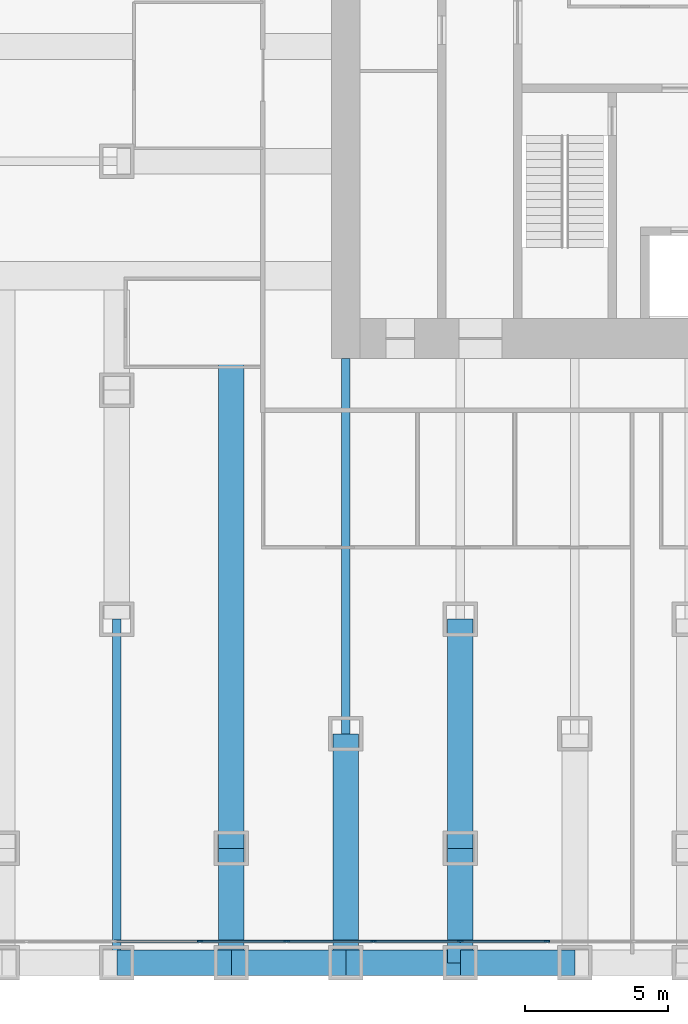
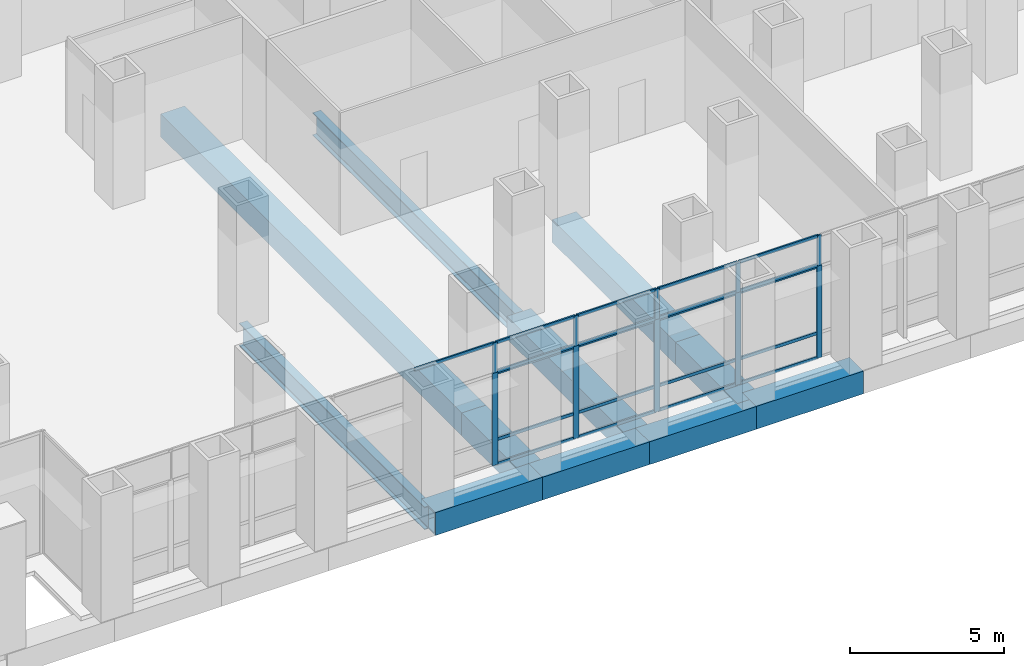
# One storey, part 3 of 18: 31 members, 11 beams, 2 elements without a shape of their own.
"""IFC4 building model written with IfcOpenShell, lengths in metres."""

from ifc_helpers import new_model, si_unit, direction, frame, origin, origin_2d, place, context, subcontext, project, spatial, rectangle, hollow_rectangle, i_section, extrude, material, material_profile, profile_set, type_object, element, aggregate, save


model = new_model("IFC4")

# Units and contexts
model_context = context("Model", 3, precision=1e-05, world=origin(), true_north=direction((0.0, 1.0)))
body_context = subcontext(model_context, "Body", "Model", "MODEL_VIEW")
ifc_project = project(units=[si_unit("LENGTHUNIT", "METRE"), si_unit("AREAUNIT", "SQUARE_METRE"), si_unit("VOLUMEUNIT", "CUBIC_METRE"), si_unit("PLANEANGLEUNIT", "RADIAN"), si_unit("MASSUNIT", "GRAM", prefix="KILO")], contexts=[model_context])

# Site, building, storey
site_placement = place(None, origin())
site = spatial("IfcSite", under=ifc_project, at=site_placement, CompositionType="ELEMENT")
building_placement = place(site_placement, origin())
building = spatial("IfcBuilding", under=site, at=building_placement, Name="Rimbunsela Tower", CompositionType="ELEMENT")
storey_placement = place(building_placement, frame((0.0, 0.0, 6.0)))
storey = spatial("IfcBuildingStorey", under=building, at=storey_placement, Name="L01", CompositionType="ELEMENT", Elevation=6.0)

# Beams
ifc_material_1 = material(Name="Steel BJ 55 (fy 410 MPa)", Category="steel")
ifc_material_profile_1 = material_profile(ifc_material_1, hollow_rectangle(XDim=0.89990234375, YDim=0.89990234375, WallThickness=0.06005859375, at=origin_2d()), Name="BOX 900x900x60")
ifc_profile_set_1 = profile_set([ifc_material_profile_1], Name="Steel BJ 55 (fy 410 MPa)")
beam_type_1 = type_object("IfcBeamType", Name="Beam BOX 900x900x60", PredefinedType="BEAM", material=ifc_profile_set_1)
for number, where, z_axis, x_axis, name in (
    (1, (10.0, -4.0, -0.60009765625), (1.0, 0.0, 0.0), (0.0, 1.0, 0.0), "Beam B1 L01"),
    (2, (14.0, -4.0, -0.60009765625), (0.0, 1.0, 0.0), (-1.0, 0.0, 0.0), "Beam B1 L01"),
    (3, (14.0, -4.0, -0.60009765625), (1.0, 0.0, 0.0), (0.0, 1.0, 0.0), "Beam B1 L01"),
):
    element("IfcBeam", number, at=place(storey_placement, frame(where, z_axis=z_axis, x_axis=x_axis)), inside=storey, type_object=beam_type_1, Name=name, PredefinedType="BEAM", context=body_context, shape_type="SweptSolid", body=[
        extrude(hollow_rectangle(XDim=0.89990234375, YDim=0.89990234375, WallThickness=0.06005859375, at=origin_2d()), origin(), (0.0, 0.0, 1.0), 4.0),
    ])
beam_1_placement = place(storey_placement, frame((14.0, 0.0, -0.60009765625), z_axis=(0.0, 1.0, 0.0), x_axis=(-1.0, 0.0, 0.0)))
element("IfcBeam", 4, at=beam_1_placement, inside=storey, type_object=beam_type_1, Name="Beam B1 L01", PredefinedType="BEAM", context=body_context, shape_type="SweptSolid", body=[
    extrude(hollow_rectangle(XDim=0.89990234375, YDim=0.89990234375, WallThickness=0.06005859375, at=origin_2d()), origin(), (0.0, 0.0, 1.0), 19.5),
])
beam_2_placement = place(storey_placement, frame((18.0, -4.0, -0.60009765625), z_axis=(0.0, 1.0, 0.0), x_axis=(-1.0, 0.0, 0.0)))
element("IfcBeam", 5, at=beam_2_placement, inside=storey, type_object=beam_type_1, Name="Beam B1 L01", PredefinedType="BEAM", context=body_context, shape_type="SweptSolid", body=[
    extrude(hollow_rectangle(XDim=0.89990234375, YDim=0.89990234375, WallThickness=0.06005859375, at=origin_2d()), origin(), (0.0, 0.0, 1.0), 8.0),
])
for number, where, z_axis, x_axis, name in (
    (6, (18.0, -4.0, -0.60009765625), (1.0, 0.0, 0.0), (0.0, 1.0, 0.0), "Beam B1 L01"),
    (7, (22.0, -4.0, -0.60009765625), (0.0, 1.0, 0.0), (-1.0, 0.0, 0.0), "Beam B1 L01"),
    (8, (22.0, -4.0, -0.60009765625), (1.0, 0.0, 0.0), (0.0, 1.0, 0.0), "Beam B1 L01"),
):
    element("IfcBeam", number, at=place(storey_placement, frame(where, z_axis=z_axis, x_axis=x_axis)), inside=storey, type_object=beam_type_1, Name=name, PredefinedType="BEAM", context=body_context, shape_type="SweptSolid", body=[
        extrude(hollow_rectangle(XDim=0.89990234375, YDim=0.89990234375, WallThickness=0.06005859375, at=origin_2d()), origin(), (0.0, 0.0, 1.0), 4.0),
    ])
beam_3_placement = place(storey_placement, frame((22.0, 0.0, -0.60009765625), z_axis=(0.0, 1.0, 0.0), x_axis=(-1.0, 0.0, 0.0)))
element("IfcBeam", 9, at=beam_3_placement, inside=storey, type_object=beam_type_1, Name="Beam B1 L01", PredefinedType="BEAM", context=body_context, shape_type="SweptSolid", body=[
    extrude(hollow_rectangle(XDim=0.89990234375, YDim=0.89990234375, WallThickness=0.06005859375, at=origin_2d()), origin(), (0.0, 0.0, 1.0), 8.0),
])
ifc_material_2 = material(Name="Steel BJ 55 (fy 410 MPa)", Category="steel")
ifc_material_profile_2 = material_profile(ifc_material_2, i_section(OverallWidth=0.300048828125, OverallDepth=0.89990234375, WebThickness=0.01611328125, FlangeThickness=0.028076171875, FilletRadius=0.028076171875, at=origin_2d()), Name="H 900x300x16x28")
ifc_profile_set_2 = profile_set([ifc_material_profile_2], Name="Steel BJ 55 (fy 410 MPa)")
beam_type_2 = type_object("IfcBeamType", Name="Beam H 900x300x16x28", PredefinedType="BEAM", material=ifc_profile_set_2)
beam_4_placement = place(storey_placement, frame((10.0, -4.0, -0.60009765625), z_axis=(0.0, 1.0, 0.0), x_axis=(-1.0, 0.0, 0.0)))
element("IfcBeam", 10, at=beam_4_placement, inside=storey, type_object=beam_type_2, Name="Beam B2 L01", PredefinedType="BEAM", context=body_context, shape_type="SweptSolid", body=[
    extrude(i_section(OverallWidth=0.300048828125, OverallDepth=0.89990234375, WebThickness=0.01611328125, FlangeThickness=0.028076171875, FilletRadius=0.028076171875, at=origin_2d()), origin(), (0.0, 0.0, 1.0), 12.0),
])
beam_5_placement = place(storey_placement, frame((18.0, 4.0, -0.60009765625), z_axis=(0.0, 1.0, 0.0), x_axis=(-1.0, 0.0, 0.0)))
element("IfcBeam", 11, at=beam_5_placement, inside=storey, type_object=beam_type_2, Name="Beam B2 L01", PredefinedType="BEAM", context=body_context, shape_type="SweptSolid", body=[
    extrude(i_section(OverallWidth=0.300048828125, OverallDepth=0.89990234375, WebThickness=0.01611328125, FlangeThickness=0.028076171875, FilletRadius=0.028076171875, at=origin_2d()), origin(), (0.0, 0.0, 1.0), 13.10009765625),
])

# Curtain wall, members
ifc_material_3 = material(Name="Aluminium curtain wall", Category="aluminium")
curtain_wall_type_1 = type_object("IfcCurtainWallType", Name="Spandrel wall", PredefinedType="USERDEFINED", material=ifc_material_3)
curtain_wall_1_placement = place(storey_placement, origin())
curtain_wall_1 = element("IfcCurtainWall", 12, at=curtain_wall_1_placement, inside=storey, type_object=curtain_wall_type_1, Name="Spandrel wall L01", ObjectType="SPANDREL WALL", PredefinedType="USERDEFINED")
ifc_material_4 = material(Name="Aluminium mullion", Category="aluminium")
ifc_material_profile_3 = material_profile(ifc_material_4, rectangle(XDim=0.06005859375, YDim=0.159912109375, at=origin_2d()), Name="Mullion 60x160")
ifc_profile_set_3 = profile_set([ifc_material_profile_3], Name="Aluminium mullion")
member_type_1 = type_object("IfcMemberType", Name="Curtain wall mullion 60x160", PredefinedType="MULLION", material=ifc_profile_set_3)
member_1_placement = place(storey_placement, frame((12.90625, -3.25, 3.64990234375), z_axis=(0.0, 0.0, 1.0), x_axis=(0.0, 1.0, 0.0)))
member_1 = element("IfcMember", 13, at=member_1_placement, type_object=member_type_1, Name="CW7 mullion 6", PredefinedType="MULLION", context=body_context, shape_type="SweptSolid", body=[
    extrude(rectangle(XDim=0.06005859375, YDim=0.159912109375, at=origin_2d()), origin(), (0.0, 0.0, 1.0), 1.2001953125),
])
member_2_placement = place(storey_placement, frame((15.9375, -3.25, 3.64990234375), z_axis=(0.0, 0.0, 1.0), x_axis=(0.0, 1.0, 0.0)))
member_2 = element("IfcMember", 14, at=member_2_placement, type_object=member_type_1, Name="CW7 mullion 7", PredefinedType="MULLION", context=body_context, shape_type="SweptSolid", body=[
    extrude(rectangle(XDim=0.06005859375, YDim=0.159912109375, at=origin_2d()), origin(), (0.0, 0.0, 1.0), 1.2001953125),
])
member_3_placement = place(storey_placement, frame((18.96875, -3.25, 3.64990234375), z_axis=(0.0, 0.0, 1.0), x_axis=(0.0, 1.0, 0.0)))
member_3 = element("IfcMember", 15, at=member_3_placement, type_object=member_type_1, Name="CW7 mullion 8", PredefinedType="MULLION", context=body_context, shape_type="SweptSolid", body=[
    extrude(rectangle(XDim=0.06005859375, YDim=0.159912109375, at=origin_2d()), origin(), (0.0, 0.0, 1.0), 1.2001953125),
])
member_4_placement = place(storey_placement, frame((22.0, -3.25, 3.64990234375), z_axis=(0.0, 0.0, 1.0), x_axis=(0.0, 1.0, 0.0)))
member_4 = element("IfcMember", 16, at=member_4_placement, type_object=member_type_1, Name="CW7 mullion 9", PredefinedType="MULLION", context=body_context, shape_type="SweptSolid", body=[
    extrude(rectangle(XDim=0.06005859375, YDim=0.159912109375, at=origin_2d()), origin(), (0.0, 0.0, 1.0), 1.2001953125),
])
member_5_placement = place(storey_placement, frame((25.03125, -3.25, 3.64990234375), z_axis=(0.0, 0.0, 1.0), x_axis=(0.0, 1.0, 0.0)))
member_5 = element("IfcMember", 17, at=member_5_placement, type_object=member_type_1, Name="CW7 mullion 10", PredefinedType="MULLION", context=body_context, shape_type="SweptSolid", body=[
    extrude(rectangle(XDim=0.06005859375, YDim=0.159912109375, at=origin_2d()), origin(), (0.0, 0.0, 1.0), 1.2001953125),
])

ifc_material_5 = material(Name="Aluminium curtain wall", Category="aluminium")
curtain_wall_type_2 = type_object("IfcCurtainWallType", Name="Podium glazing", PredefinedType="USERDEFINED", material=ifc_material_5)
curtain_wall_2_placement = place(storey_placement, origin())
curtain_wall_2 = element("IfcCurtainWall", 18, at=curtain_wall_2_placement, inside=storey, type_object=curtain_wall_type_2, Name="Podium glazing L01", ObjectType="PODIUM GLAZING", PredefinedType="USERDEFINED")
ifc_material_6 = material(Name="Aluminium mullion", Category="aluminium")
ifc_material_profile_4 = material_profile(ifc_material_6, rectangle(XDim=0.06005859375, YDim=0.199951171875, at=origin_2d()), Name="Mullion 60x200")
ifc_profile_set_4 = profile_set([ifc_material_profile_4], Name="Aluminium mullion")
member_type_2 = type_object("IfcMemberType", Name="Curtain wall mullion 60x200", PredefinedType="MULLION", material=ifc_profile_set_4)
member_6_placement = place(storey_placement, frame((12.90625, -3.25, 0.0), z_axis=(0.0, 0.0, 1.0), x_axis=(0.0, 1.0, 0.0)))
member_6 = element("IfcMember", 19, at=member_6_placement, type_object=member_type_2, Name="CW1 mullion 6", PredefinedType="MULLION", context=body_context, shape_type="SweptSolid", body=[
    extrude(rectangle(XDim=0.06005859375, YDim=0.199951171875, at=origin_2d()), origin(), (0.0, 0.0, 1.0), 3.64990234375),
])
member_7_placement = place(storey_placement, frame((15.9375, -3.25, 0.0), z_axis=(0.0, 0.0, 1.0), x_axis=(0.0, 1.0, 0.0)))
member_7 = element("IfcMember", 20, at=member_7_placement, type_object=member_type_2, Name="CW1 mullion 7", PredefinedType="MULLION", context=body_context, shape_type="SweptSolid", body=[
    extrude(rectangle(XDim=0.06005859375, YDim=0.199951171875, at=origin_2d()), origin(), (0.0, 0.0, 1.0), 3.64990234375),
])
member_8_placement = place(storey_placement, frame((18.96875, -3.25, 0.0), z_axis=(0.0, 0.0, 1.0), x_axis=(0.0, 1.0, 0.0)))
member_8 = element("IfcMember", 21, at=member_8_placement, type_object=member_type_2, Name="CW1 mullion 8", PredefinedType="MULLION", context=body_context, shape_type="SweptSolid", body=[
    extrude(rectangle(XDim=0.06005859375, YDim=0.199951171875, at=origin_2d()), origin(), (0.0, 0.0, 1.0), 3.64990234375),
])
member_9_placement = place(storey_placement, frame((22.0, -3.25, 0.0), z_axis=(0.0, 0.0, 1.0), x_axis=(0.0, 1.0, 0.0)))
member_9 = element("IfcMember", 22, at=member_9_placement, type_object=member_type_2, Name="CW1 mullion 9", PredefinedType="MULLION", context=body_context, shape_type="SweptSolid", body=[
    extrude(rectangle(XDim=0.06005859375, YDim=0.199951171875, at=origin_2d()), origin(), (0.0, 0.0, 1.0), 3.64990234375),
])
member_10_placement = place(storey_placement, frame((25.03125, -3.25, 0.0), z_axis=(0.0, 0.0, 1.0), x_axis=(0.0, 1.0, 0.0)))
member_10 = element("IfcMember", 23, at=member_10_placement, type_object=member_type_2, Name="CW1 mullion 10", PredefinedType="MULLION", context=body_context, shape_type="SweptSolid", body=[
    extrude(rectangle(XDim=0.06005859375, YDim=0.199951171875, at=origin_2d()), origin(), (0.0, 0.0, 1.0), 3.64990234375),
])
ifc_material_7 = material(Name="Aluminium transom", Category="aluminium")
ifc_material_profile_5 = material_profile(ifc_material_7, rectangle(XDim=0.06005859375, YDim=0.1201171875, at=origin_2d()), Name="Transom 60x120")
ifc_profile_set_5 = profile_set([ifc_material_profile_5], Name="Aluminium transom")
member_type_3 = type_object("IfcMemberType", Name="Curtain wall transom 60x120", PredefinedType="USERDEFINED", material=ifc_profile_set_5)
member_11_placement = place(storey_placement, frame((12.936279296875, -3.25, 0.030029296875), z_axis=(1.0, 0.0, 0.0), x_axis=(0.0, 1.0, 0.0)))
member_11 = element("IfcMember", 24, at=member_11_placement, type_object=member_type_3, Name="CW1 transom 6.1", ObjectType="TRANSOM", PredefinedType="USERDEFINED", context=body_context, shape_type="SweptSolid", body=[
    extrude(rectangle(XDim=0.06005859375, YDim=0.1201171875, at=origin_2d()), origin(), (0.0, 0.0, 1.0), 2.97119140625),
])
member_12_placement = place(storey_placement, frame((12.936279296875, -3.25, 1.0), z_axis=(1.0, 0.0, 0.0), x_axis=(0.0, 1.0, 0.0)))
member_12 = element("IfcMember", 25, at=member_12_placement, type_object=member_type_3, Name="CW1 transom 6.2", ObjectType="TRANSOM", PredefinedType="USERDEFINED", context=body_context, shape_type="SweptSolid", body=[
    extrude(rectangle(XDim=0.06005859375, YDim=0.1201171875, at=origin_2d()), origin(), (0.0, 0.0, 1.0), 2.97119140625),
])
member_13_placement = place(storey_placement, frame((12.936279296875, -3.25, 3.6201171875), z_axis=(1.0, 0.0, 0.0), x_axis=(0.0, 1.0, 0.0)))
member_13 = element("IfcMember", 26, at=member_13_placement, type_object=member_type_3, Name="CW1 transom 6.3", ObjectType="TRANSOM", PredefinedType="USERDEFINED", context=body_context, shape_type="SweptSolid", body=[
    extrude(rectangle(XDim=0.06005859375, YDim=0.1201171875, at=origin_2d()), origin(), (0.0, 0.0, 1.0), 2.97119140625),
])
member_14_placement = place(storey_placement, frame((15.967529296875, -3.25, 0.030029296875), z_axis=(1.0, 0.0, 0.0), x_axis=(0.0, 1.0, 0.0)))
member_14 = element("IfcMember", 27, at=member_14_placement, type_object=member_type_3, Name="CW1 transom 7.1", ObjectType="TRANSOM", PredefinedType="USERDEFINED", context=body_context, shape_type="SweptSolid", body=[
    extrude(rectangle(XDim=0.06005859375, YDim=0.1201171875, at=origin_2d()), origin(), (0.0, 0.0, 1.0), 2.97119140625),
])
member_15_placement = place(storey_placement, frame((15.967529296875, -3.25, 1.0), z_axis=(1.0, 0.0, 0.0), x_axis=(0.0, 1.0, 0.0)))
member_15 = element("IfcMember", 28, at=member_15_placement, type_object=member_type_3, Name="CW1 transom 7.2", ObjectType="TRANSOM", PredefinedType="USERDEFINED", context=body_context, shape_type="SweptSolid", body=[
    extrude(rectangle(XDim=0.06005859375, YDim=0.1201171875, at=origin_2d()), origin(), (0.0, 0.0, 1.0), 2.97119140625),
])
member_16_placement = place(storey_placement, frame((15.967529296875, -3.25, 3.6201171875), z_axis=(1.0, 0.0, 0.0), x_axis=(0.0, 1.0, 0.0)))
member_16 = element("IfcMember", 29, at=member_16_placement, type_object=member_type_3, Name="CW1 transom 7.3", ObjectType="TRANSOM", PredefinedType="USERDEFINED", context=body_context, shape_type="SweptSolid", body=[
    extrude(rectangle(XDim=0.06005859375, YDim=0.1201171875, at=origin_2d()), origin(), (0.0, 0.0, 1.0), 2.97119140625),
])
member_17_placement = place(storey_placement, frame((18.998779296875, -3.25, 0.030029296875), z_axis=(1.0, 0.0, 0.0), x_axis=(0.0, 1.0, 0.0)))
member_17 = element("IfcMember", 30, at=member_17_placement, type_object=member_type_3, Name="CW1 transom 8.1", ObjectType="TRANSOM", PredefinedType="USERDEFINED", context=body_context, shape_type="SweptSolid", body=[
    extrude(rectangle(XDim=0.06005859375, YDim=0.1201171875, at=origin_2d()), origin(), (0.0, 0.0, 1.0), 2.97119140625),
])
member_18_placement = place(storey_placement, frame((18.998779296875, -3.25, 1.0), z_axis=(1.0, 0.0, 0.0), x_axis=(0.0, 1.0, 0.0)))
member_18 = element("IfcMember", 31, at=member_18_placement, type_object=member_type_3, Name="CW1 transom 8.2", ObjectType="TRANSOM", PredefinedType="USERDEFINED", context=body_context, shape_type="SweptSolid", body=[
    extrude(rectangle(XDim=0.06005859375, YDim=0.1201171875, at=origin_2d()), origin(), (0.0, 0.0, 1.0), 2.97119140625),
])
member_19_placement = place(storey_placement, frame((18.998779296875, -3.25, 3.6201171875), z_axis=(1.0, 0.0, 0.0), x_axis=(0.0, 1.0, 0.0)))
member_19 = element("IfcMember", 32, at=member_19_placement, type_object=member_type_3, Name="CW1 transom 8.3", ObjectType="TRANSOM", PredefinedType="USERDEFINED", context=body_context, shape_type="SweptSolid", body=[
    extrude(rectangle(XDim=0.06005859375, YDim=0.1201171875, at=origin_2d()), origin(), (0.0, 0.0, 1.0), 2.97119140625),
])
member_20_placement = place(storey_placement, frame((22.030029296875, -3.25, 0.030029296875), z_axis=(1.0, 0.0, 0.0), x_axis=(0.0, 1.0, 0.0)))
member_20 = element("IfcMember", 33, at=member_20_placement, type_object=member_type_3, Name="CW1 transom 9.1", ObjectType="TRANSOM", PredefinedType="USERDEFINED", context=body_context, shape_type="SweptSolid", body=[
    extrude(rectangle(XDim=0.06005859375, YDim=0.1201171875, at=origin_2d()), origin(), (0.0, 0.0, 1.0), 2.97119140625),
])
member_21_placement = place(storey_placement, frame((22.030029296875, -3.25, 1.0), z_axis=(1.0, 0.0, 0.0), x_axis=(0.0, 1.0, 0.0)))
member_21 = element("IfcMember", 34, at=member_21_placement, type_object=member_type_3, Name="CW1 transom 9.2", ObjectType="TRANSOM", PredefinedType="USERDEFINED", context=body_context, shape_type="SweptSolid", body=[
    extrude(rectangle(XDim=0.06005859375, YDim=0.1201171875, at=origin_2d()), origin(), (0.0, 0.0, 1.0), 2.97119140625),
])
member_22_placement = place(storey_placement, frame((22.030029296875, -3.25, 3.6201171875), z_axis=(1.0, 0.0, 0.0), x_axis=(0.0, 1.0, 0.0)))
member_22 = element("IfcMember", 35, at=member_22_placement, type_object=member_type_3, Name="CW1 transom 9.3", ObjectType="TRANSOM", PredefinedType="USERDEFINED", context=body_context, shape_type="SweptSolid", body=[
    extrude(rectangle(XDim=0.06005859375, YDim=0.1201171875, at=origin_2d()), origin(), (0.0, 0.0, 1.0), 2.97119140625),
])
aggregate(curtain_wall_2, [member_6, member_7, member_8, member_9, member_10, member_11, member_12, member_13, member_14, member_15, member_16, member_17, member_18, member_19, member_20, member_21, member_22])

# Member
member_23_placement = place(storey_placement, frame((9.905029296875, -3.25, 4.820068359375), z_axis=(1.0, 0.0, 0.0), x_axis=(0.0, 1.0, 0.0)))
member_23 = element("IfcMember", 36, at=member_23_placement, type_object=member_type_3, Name="CW7 transom 5.2", ObjectType="TRANSOM", PredefinedType="USERDEFINED", context=body_context, shape_type="SweptSolid", body=[
    extrude(rectangle(XDim=0.06005859375, YDim=0.1201171875, at=origin_2d()), origin(), (0.0, 0.0, 1.0), 2.97119140625),
])

member_24_placement = place(storey_placement, frame((12.936279296875, -3.25, 3.679931640625), z_axis=(1.0, 0.0, 0.0), x_axis=(0.0, 1.0, 0.0)))
member_24 = element("IfcMember", 37, at=member_24_placement, type_object=member_type_3, Name="CW7 transom 6.1", ObjectType="TRANSOM", PredefinedType="USERDEFINED", context=body_context, shape_type="SweptSolid", body=[
    extrude(rectangle(XDim=0.06005859375, YDim=0.1201171875, at=origin_2d()), origin(), (0.0, 0.0, 1.0), 2.97119140625),
])

member_25_placement = place(storey_placement, frame((12.936279296875, -3.25, 4.820068359375), z_axis=(1.0, 0.0, 0.0), x_axis=(0.0, 1.0, 0.0)))
member_25 = element("IfcMember", 38, at=member_25_placement, type_object=member_type_3, Name="CW7 transom 6.2", ObjectType="TRANSOM", PredefinedType="USERDEFINED", context=body_context, shape_type="SweptSolid", body=[
    extrude(rectangle(XDim=0.06005859375, YDim=0.1201171875, at=origin_2d()), origin(), (0.0, 0.0, 1.0), 2.97119140625),
])

member_26_placement = place(storey_placement, frame((15.967529296875, -3.25, 3.679931640625), z_axis=(1.0, 0.0, 0.0), x_axis=(0.0, 1.0, 0.0)))
member_26 = element("IfcMember", 39, at=member_26_placement, type_object=member_type_3, Name="CW7 transom 7.1", ObjectType="TRANSOM", PredefinedType="USERDEFINED", context=body_context, shape_type="SweptSolid", body=[
    extrude(rectangle(XDim=0.06005859375, YDim=0.1201171875, at=origin_2d()), origin(), (0.0, 0.0, 1.0), 2.97119140625),
])

member_27_placement = place(storey_placement, frame((15.967529296875, -3.25, 4.820068359375), z_axis=(1.0, 0.0, 0.0), x_axis=(0.0, 1.0, 0.0)))
member_27 = element("IfcMember", 40, at=member_27_placement, type_object=member_type_3, Name="CW7 transom 7.2", ObjectType="TRANSOM", PredefinedType="USERDEFINED", context=body_context, shape_type="SweptSolid", body=[
    extrude(rectangle(XDim=0.06005859375, YDim=0.1201171875, at=origin_2d()), origin(), (0.0, 0.0, 1.0), 2.97119140625),
])

member_28_placement = place(storey_placement, frame((18.998779296875, -3.25, 3.679931640625), z_axis=(1.0, 0.0, 0.0), x_axis=(0.0, 1.0, 0.0)))
member_28 = element("IfcMember", 41, at=member_28_placement, type_object=member_type_3, Name="CW7 transom 8.1", ObjectType="TRANSOM", PredefinedType="USERDEFINED", context=body_context, shape_type="SweptSolid", body=[
    extrude(rectangle(XDim=0.06005859375, YDim=0.1201171875, at=origin_2d()), origin(), (0.0, 0.0, 1.0), 2.97119140625),
])

member_29_placement = place(storey_placement, frame((18.998779296875, -3.25, 4.820068359375), z_axis=(1.0, 0.0, 0.0), x_axis=(0.0, 1.0, 0.0)))
member_29 = element("IfcMember", 42, at=member_29_placement, type_object=member_type_3, Name="CW7 transom 8.2", ObjectType="TRANSOM", PredefinedType="USERDEFINED", context=body_context, shape_type="SweptSolid", body=[
    extrude(rectangle(XDim=0.06005859375, YDim=0.1201171875, at=origin_2d()), origin(), (0.0, 0.0, 1.0), 2.97119140625),
])

member_30_placement = place(storey_placement, frame((22.030029296875, -3.25, 3.679931640625), z_axis=(1.0, 0.0, 0.0), x_axis=(0.0, 1.0, 0.0)))
member_30 = element("IfcMember", 43, at=member_30_placement, type_object=member_type_3, Name="CW7 transom 9.1", ObjectType="TRANSOM", PredefinedType="USERDEFINED", context=body_context, shape_type="SweptSolid", body=[
    extrude(rectangle(XDim=0.06005859375, YDim=0.1201171875, at=origin_2d()), origin(), (0.0, 0.0, 1.0), 2.97119140625),
])

member_31_placement = place(storey_placement, frame((22.030029296875, -3.25, 4.820068359375), z_axis=(1.0, 0.0, 0.0), x_axis=(0.0, 1.0, 0.0)))
member_31 = element("IfcMember", 44, at=member_31_placement, type_object=member_type_3, Name="CW7 transom 9.2", ObjectType="TRANSOM", PredefinedType="USERDEFINED", context=body_context, shape_type="SweptSolid", body=[
    extrude(rectangle(XDim=0.06005859375, YDim=0.1201171875, at=origin_2d()), origin(), (0.0, 0.0, 1.0), 2.97119140625),
])

aggregate(curtain_wall_1, [member_1, member_2, member_3, member_4, member_5, member_23, member_24, member_25, member_26, member_27, member_28, member_29, member_30, member_31])

save(model, "model.ifc")
